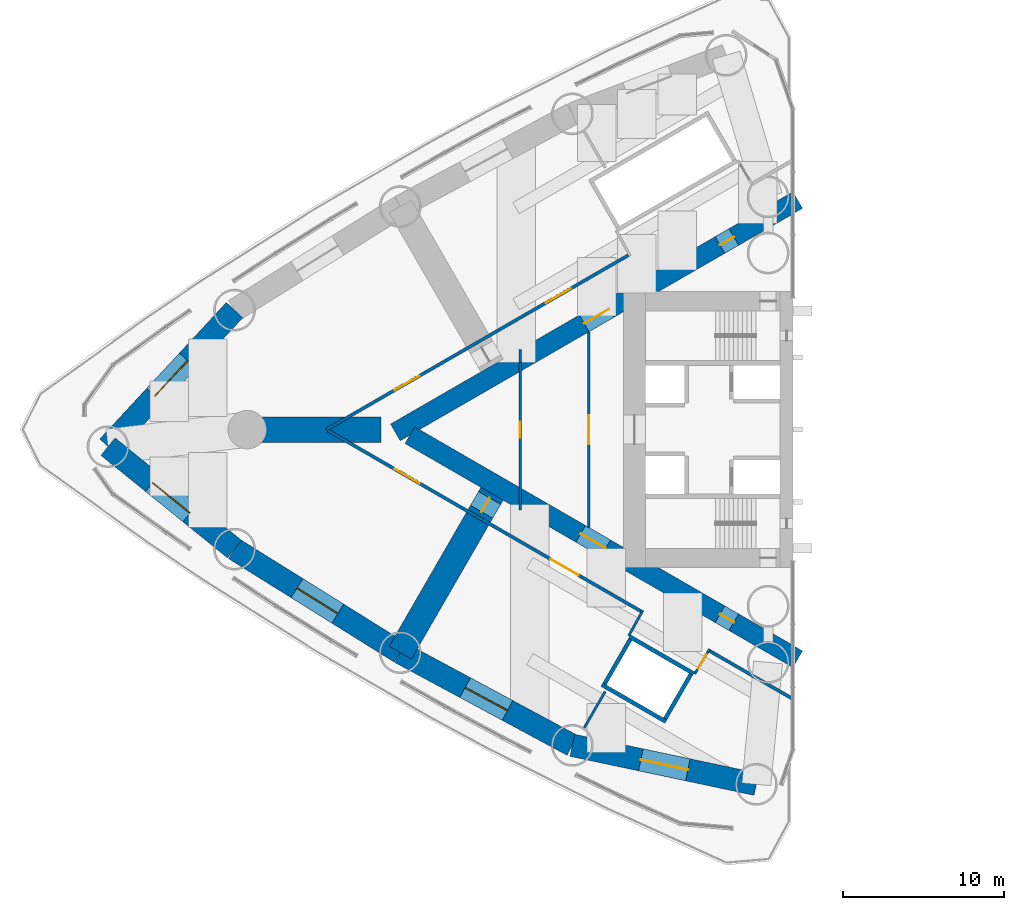
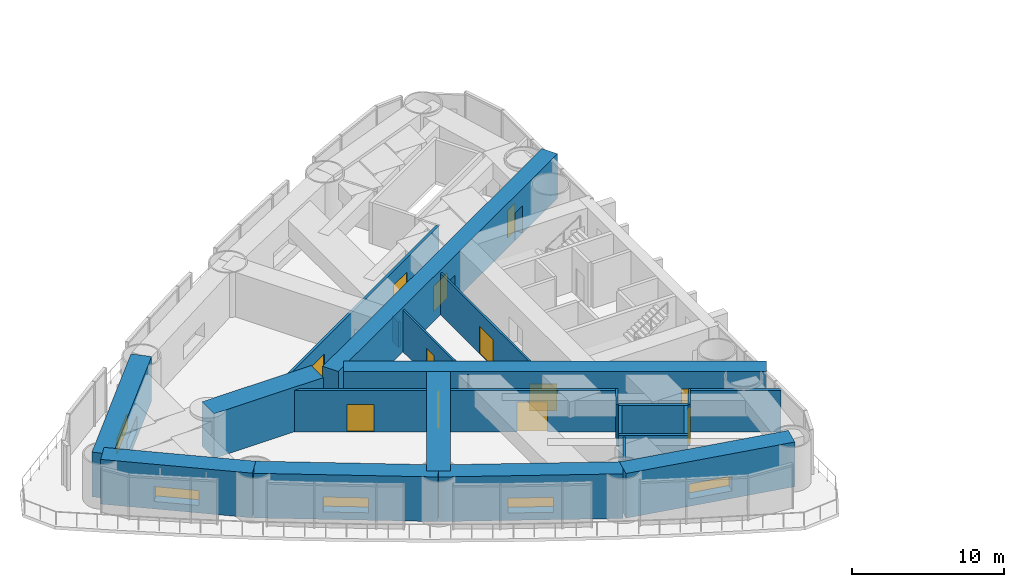
# One storey, part 13 of 19: 22 walls, 12 doors, 5 windows, 17 openings.
"""IFC4 building model written with IfcOpenShell, lengths in metres."""

from ifc_helpers import new_model, si_unit, direction, frame, frame_2d, origin, place, context, subcontext, project, spatial, rectangle, extrude, material, layer, layer_set, type_object, element, fill, save


model = new_model("IFC4")

# Units and contexts
model_context = context("Model", 3, precision=1e-05, world=origin(), true_north=direction((0.0, 1.0)))
body_context = subcontext(model_context, "Body", "Model", "MODEL_VIEW")
ifc_project = project(units=[si_unit("LENGTHUNIT", "METRE"), si_unit("AREAUNIT", "SQUARE_METRE"), si_unit("VOLUMEUNIT", "CUBIC_METRE"), si_unit("PLANEANGLEUNIT", "RADIAN"), si_unit("MASSUNIT", "GRAM", prefix="KILO")], contexts=[model_context])

# Site, building, storey
site_placement = place(None, origin())
site = spatial("IfcSite", under=ifc_project, at=site_placement, CompositionType="ELEMENT")
building_placement = place(site_placement, origin())
building = spatial("IfcBuilding", under=site, at=building_placement, Name="Lancet Gate Hotel", CompositionType="ELEMENT")
storey_placement = place(building_placement, frame((0.0, 0.0, 87.0)))
storey = spatial("IfcBuildingStorey", under=building, at=storey_placement, Name="L22", CompositionType="ELEMENT", Elevation=87.0)

# Wall, opening, window
ifc_material_1 = material(Name="Concrete C80/95", Category="concrete")
ifc_layer_1 = layer(ifc_material_1, 1.39990234375)
ifc_layer_set_1 = layer_set([ifc_layer_1], Name="Belt wall 1400")
wall_type_1 = type_object("IfcWallType", Name="Belt wall 1400", PredefinedType="SHEAR", material=ifc_layer_set_1)
wall_1_placement = place(storey_placement, frame((-62.28662109375, 7.444580078125, 0.0), z_axis=(0.0, 0.0, 1.0), x_axis=(-0.679718253794, -0.733473309303, 0.0)))
wall_1 = element("IfcWall", 1, at=wall_1_placement, inside=storey, type_object=wall_type_1, Name="T1 belt wall OS3-CA L22", PredefinedType="SHEAR", context=body_context, shape_type="SweptSolid", body=[
    extrude(rectangle(XDim=11.594970703125, YDim=1.39990234375, at=frame_2d((5.79736328125, 0.0))), origin(), (0.0, 0.0, 1.0), 3.60009765625),
])
opening_1_placement = place(wall_1_placement, frame((4.297607421875, 0.0, 0.60009765625)))
opening_1 = element("IfcOpeningElement", 2, at=opening_1_placement, cuts=wall_1, Name="Opening LV1", PredefinedType="OPENING", context=body_context, shape_type="SweptSolid", body=[
    extrude(rectangle(XDim=3.0, YDim=1.199951171875, at=frame_2d((1.5, 0.60009765625))), frame((0.0, 0.7099609375, 0.0), z_axis=(0.0, -1.0, 0.0), x_axis=(1.0, 0.0, 0.0)), (0.0, 0.0, 1.0), 1.419921875),
])
ifc_material_2 = material(Name="Aluminium weather louvre", Category="aluminium")
window_type = type_object("IfcWindowType", Name="Refuge louvre 3000x1200", PartitioningType="SINGLE_PANEL", PredefinedType="WINDOW", material=ifc_material_2)
window_1_placement = place(opening_1_placement, origin())
window_1 = element("IfcWindow", 3, at=window_1_placement, inside=storey, type_object=window_type, Name="T1 belt louvre OS3-CA L22", OverallHeight=1.199951171875, OverallWidth=3.0, PartitioningType="SINGLE_PANEL", PredefinedType="WINDOW", context=body_context, shape_type="SweptSolid", body=[
    extrude(rectangle(XDim=3.0, YDim=1.199951171875, at=frame_2d((1.5, 0.60009765625))), frame((0.0, 0.030029296875, 0.0), z_axis=(0.0, -1.0, 0.0), x_axis=(1.0, 0.0, 0.0)), (0.0, 0.0, 1.0), 0.06005859375),
])
fill(opening_1, window_1)

wall_2_placement = place(storey_placement, frame((-70.16796875, -1.06005859375, 0.0), z_axis=(0.0, 0.0, 1.0), x_axis=(0.777033503891, -0.629459239213, 0.0)))
wall_2 = element("IfcWall", 4, at=wall_2_placement, inside=storey, type_object=wall_type_1, Name="T1 belt wall CA-ON1 L22", PredefinedType="SHEAR", context=body_context, shape_type="SweptSolid", body=[
    extrude(rectangle(XDim=10.142822265625, YDim=1.39990234375, at=frame_2d((5.0712890625, 0.0))), origin(), (0.0, 0.0, 1.0), 3.60009765625),
])
opening_2_placement = place(wall_2_placement, frame((3.571533203125, 0.0, 0.60009765625)))
opening_2 = element("IfcOpeningElement", 5, at=opening_2_placement, cuts=wall_2, Name="Opening LV1", PredefinedType="OPENING", context=body_context, shape_type="SweptSolid", body=[
    extrude(rectangle(XDim=3.0, YDim=1.199951171875, at=frame_2d((1.5, 0.60009765625))), frame((0.0, 0.7099609375, 0.0), z_axis=(0.0, -1.0, 0.0), x_axis=(1.0, 0.0, 0.0)), (0.0, 0.0, 1.0), 1.419921875),
])
window_2_placement = place(opening_2_placement, origin())
window_2 = element("IfcWindow", 6, at=window_2_placement, inside=storey, type_object=window_type, Name="T1 belt louvre CA-ON1 L22", OverallHeight=1.199951171875, OverallWidth=3.0, PartitioningType="SINGLE_PANEL", PredefinedType="WINDOW", context=body_context, shape_type="SweptSolid", body=[
    extrude(rectangle(XDim=3.0, YDim=1.199951171875, at=frame_2d((1.5, 0.60009765625))), frame((0.0, 0.030029296875, 0.0), z_axis=(0.0, -1.0, 0.0), x_axis=(1.0, 0.0, 0.0)), (0.0, 0.0, 1.0), 0.06005859375),
])
fill(opening_2, window_2)

wall_3_placement = place(storey_placement, frame((-62.28662109375, -7.444580078125, 0.0), z_axis=(0.0, 0.0, 1.0), x_axis=(0.848062521637, -0.529896177939, 0.0)))
wall_3 = element("IfcWall", 7, at=wall_3_placement, inside=storey, type_object=wall_type_1, Name="T1 belt wall ON1-ON2 L22", PredefinedType="SHEAR", context=body_context, shape_type="SweptSolid", body=[
    extrude(rectangle(XDim=12.173095703125, YDim=1.39990234375, at=frame_2d((6.08642578125, 0.0))), origin(), (0.0, 0.0, 1.0), 3.60009765625),
])
opening_3_placement = place(wall_3_placement, frame((4.58642578125, 0.0, 0.60009765625)))
opening_3 = element("IfcOpeningElement", 8, at=opening_3_placement, cuts=wall_3, Name="Opening LV1", PredefinedType="OPENING", context=body_context, shape_type="SweptSolid", body=[
    extrude(rectangle(XDim=3.0, YDim=1.199951171875, at=frame_2d((1.5, 0.60009765625))), frame((0.0, 0.7099609375, 0.0), z_axis=(0.0, -1.0, 0.0), x_axis=(1.0, 0.0, 0.0)), (0.0, 0.0, 1.0), 1.419921875),
])
window_3_placement = place(opening_3_placement, origin())
window_3 = element("IfcWindow", 9, at=window_3_placement, inside=storey, type_object=window_type, Name="T1 belt louvre ON1-ON2 L22", OverallHeight=1.199951171875, OverallWidth=3.0, PartitioningType="SINGLE_PANEL", PredefinedType="WINDOW", context=body_context, shape_type="SweptSolid", body=[
    extrude(rectangle(XDim=3.0, YDim=1.199951171875, at=frame_2d((1.5, 0.60009765625))), frame((0.0, 0.030029296875, 0.0), z_axis=(0.0, -1.0, 0.0), x_axis=(1.0, 0.0, 0.0)), (0.0, 0.0, 1.0), 0.06005859375),
])
fill(opening_3, window_3)

wall_4_placement = place(storey_placement, frame((-51.963134765625, -13.89501953125, 0.0), z_axis=(0.0, 0.0, 1.0), x_axis=(0.880492350889, -0.474060354835, 0.0)))
wall_4 = element("IfcWall", 10, at=wall_4_placement, inside=storey, type_object=wall_type_1, Name="T1 belt wall ON2-ON3 L22", PredefinedType="SHEAR", context=body_context, shape_type="SweptSolid", body=[
    extrude(rectangle(XDim=12.173095703125, YDim=1.39990234375, at=frame_2d((6.08642578125, 0.0))), origin(), (0.0, 0.0, 1.0), 3.60009765625),
])
opening_4_placement = place(wall_4_placement, frame((4.58642578125, 0.0, 0.60009765625)))
opening_4 = element("IfcOpeningElement", 11, at=opening_4_placement, cuts=wall_4, Name="Opening LV1", PredefinedType="OPENING", context=body_context, shape_type="SweptSolid", body=[
    extrude(rectangle(XDim=3.0, YDim=1.199951171875, at=frame_2d((1.5, 0.60009765625))), frame((0.0, 0.7099609375, 0.0), z_axis=(0.0, -1.0, 0.0), x_axis=(1.0, 0.0, 0.0)), (0.0, 0.0, 1.0), 1.419921875),
])
window_4_placement = place(opening_4_placement, origin())
window_4 = element("IfcWindow", 12, at=window_4_placement, inside=storey, type_object=window_type, Name="T1 belt louvre ON2-ON3 L22", OverallHeight=1.199951171875, OverallWidth=3.0, PartitioningType="SINGLE_PANEL", PredefinedType="WINDOW", context=body_context, shape_type="SweptSolid", body=[
    extrude(rectangle(XDim=3.0, YDim=1.199951171875, at=frame_2d((1.5, 0.60009765625))), frame((0.0, 0.030029296875, 0.0), z_axis=(0.0, -1.0, 0.0), x_axis=(1.0, 0.0, 0.0)), (0.0, 0.0, 1.0), 0.06005859375),
])
fill(opening_4, window_4)

wall_5_placement = place(storey_placement, frame((-41.244873046875, -19.665771484375, 0.0), z_axis=(0.0, 0.0, 1.0), x_axis=(0.978282156247, -0.207277646573, 0.0)))
wall_5 = element("IfcWall", 13, at=wall_5_placement, inside=storey, type_object=wall_type_1, Name="T1 belt wall ON3-CN L22", PredefinedType="SHEAR", context=body_context, shape_type="SweptSolid", body=[
    extrude(rectangle(XDim=11.71826171875, YDim=1.39990234375, at=frame_2d((5.859130859375, 0.0))), origin(), (0.0, 0.0, 1.0), 3.60009765625),
])
opening_5_placement = place(wall_5_placement, frame((4.359130859375, 0.0, 0.60009765625)))
opening_5 = element("IfcOpeningElement", 14, at=opening_5_placement, cuts=wall_5, Name="Opening LV1", PredefinedType="OPENING", context=body_context, shape_type="SweptSolid", body=[
    extrude(rectangle(XDim=3.0, YDim=1.199951171875, at=frame_2d((1.5, 0.60009765625))), frame((0.0, 0.7099609375, 0.0), z_axis=(0.0, -1.0, 0.0), x_axis=(1.0, 0.0, 0.0)), (0.0, 0.0, 1.0), 1.419921875),
])
window_5_placement = place(opening_5_placement, origin())
window_5 = element("IfcWindow", 15, at=window_5_placement, inside=storey, type_object=window_type, Name="T1 belt louvre ON3-CN L22", OverallHeight=1.199951171875, OverallWidth=3.0, PartitioningType="SINGLE_PANEL", PredefinedType="WINDOW", context=body_context, shape_type="SweptSolid", body=[
    extrude(rectangle(XDim=3.0, YDim=1.199951171875, at=frame_2d((1.5, 0.60009765625))), frame((0.0, 0.030029296875, 0.0), z_axis=(0.0, -1.0, 0.0), x_axis=(1.0, 0.0, 0.0)), (0.0, 0.0, 1.0), 0.06005859375),
])
fill(opening_5, window_5)

# Wall, openings, doors
ifc_material_3 = material(Name="Concrete C70/85", Category="concrete")
ifc_layer_2 = layer(ifc_material_3, 1.199951171875)
ifc_layer_set_2 = layer_set([ifc_layer_2], Name="Buttress wall 1200")
wall_type_2 = type_object("IfcWallType", Name="Buttress wall 1200", PredefinedType="SHEAR", material=ifc_layer_set_2)
wall_6_placement = place(storey_placement, frame((-27.199951171875, 14.300048828125, 0.0), z_axis=(0.0, 0.0, 1.0), x_axis=(-0.866026593062, -0.499997940104, 0.0)))
wall_6 = element("IfcWall", 16, at=wall_6_placement, inside=storey, type_object=wall_type_2, Name="T1 buttress wall S L22", PredefinedType="SHEAR", context=body_context, shape_type="SweptSolid", body=[
    extrude(rectangle(XDim=28.9462890625, YDim=1.199951171875, at=frame_2d((14.47314453125, 0.0))), origin(), (0.0, 0.0, 1.0), 3.60009765625),
])
opening_6_placement = place(wall_6_placement, frame((4.60009765625, 0.0, 0.0)))
opening_6 = element("IfcOpeningElement", 17, at=opening_6_placement, cuts=wall_6, Name="Opening T1-L22-LS", PredefinedType="OPENING", context=body_context, shape_type="SweptSolid", body=[
    extrude(rectangle(XDim=1.0, YDim=2.199951171875, at=frame_2d((0.5, 1.10009765625))), frame((0.0, 0.60986328125, 0.0), z_axis=(0.0, -1.0, 0.0), x_axis=(1.0, 0.0, 0.0)), (0.0, 0.0, 1.0), 1.219970703125),
])
opening_7_placement = place(wall_6_placement, frame((13.567626953125, 0.0, 0.0)))
opening_7 = element("IfcOpeningElement", 18, at=opening_7_placement, cuts=wall_6, Name="Opening T1-L22-LHS", PredefinedType="OPENING", context=body_context, shape_type="SweptSolid", body=[
    extrude(rectangle(XDim=1.800048828125, YDim=2.030029296875, at=frame_2d((0.89990234375, 1.01513671875))), frame((0.0, 0.60986328125, 0.0), z_axis=(0.0, -1.0, 0.0), x_axis=(1.0, 0.0, 0.0)), (0.0, 0.0, 1.0), 1.219970703125),
])
ifc_material_4 = material(Name="Timber door set", Category="wood")
door_type_1 = type_object("IfcDoorType", Name="Lobby double door 1800, 2030 high", OperationType="DOUBLE_DOOR_SINGLE_SWING", PredefinedType="DOOR", material=ifc_material_4)
door_1_placement = place(opening_7_placement, origin())
door_1 = element("IfcDoor", 19, at=door_1_placement, inside=storey, type_object=door_type_1, Name="T1-L22-LHS", OperationType="DOUBLE_DOOR_SINGLE_SWING", OverallHeight=2.030029296875, OverallWidth=1.800048828125, PredefinedType="DOOR", context=body_context, shape_type="SweptSolid", body=[
    extrude(rectangle(XDim=1.800048828125, YDim=2.030029296875, at=frame_2d((0.89990234375, 1.01513671875))), frame((0.0, 0.02490234375, 0.0), z_axis=(0.0, -1.0, 0.0), x_axis=(1.0, 0.0, 0.0)), (0.0, 0.0, 1.0), 0.050048828125),
])
fill(opening_7, door_1)
ifc_material_5 = material(Name="Timber door set", Category="wood")
door_type_2 = type_object("IfcDoorType", Name="Stair lobby door 1000", OperationType="SINGLE_SWING_LEFT", PredefinedType="DOOR", material=ifc_material_5)
door_2_placement = place(opening_6_placement, origin())
door_2 = element("IfcDoor", 20, at=door_2_placement, inside=storey, type_object=door_type_2, Name="T1-L22-LS", OperationType="SINGLE_SWING_LEFT", OverallHeight=2.199951171875, OverallWidth=1.0, PredefinedType="DOOR", context=body_context, shape_type="SweptSolid", body=[
    extrude(rectangle(XDim=1.0, YDim=2.199951171875, at=frame_2d((0.5, 1.10009765625))), frame((0.0, 0.02490234375, 0.0), z_axis=(0.0, -1.0, 0.0), x_axis=(1.0, 0.0, 0.0)), (0.0, 0.0, 1.0), 0.050048828125),
])
fill(opening_6, door_2)

wall_7_placement = place(storey_placement, frame((-27.199951171875, -14.300048828125, 0.0), z_axis=(0.0, 0.0, 1.0), x_axis=(-0.866024021859, 0.500002393557, 0.0)))
wall_7 = element("IfcWall", 21, at=wall_7_placement, inside=storey, type_object=wall_type_2, Name="T1 buttress wall N L22", PredefinedType="SHEAR", context=body_context, shape_type="SweptSolid", body=[
    extrude(rectangle(XDim=27.906982421875, YDim=1.199951171875, at=frame_2d((13.95361328125, 0.0))), origin(), (0.0, 0.0, 1.0), 3.60009765625),
])
opening_8_placement = place(wall_7_placement, frame((4.60009765625, 0.0, 0.0)))
opening_8 = element("IfcOpeningElement", 22, at=opening_8_placement, cuts=wall_7, Name="Opening T1-L22-LN", PredefinedType="OPENING", context=body_context, shape_type="SweptSolid", body=[
    extrude(rectangle(XDim=1.0, YDim=2.199951171875, at=frame_2d((0.5, 1.10009765625))), frame((0.0, 0.60986328125, 0.0), z_axis=(0.0, -1.0, 0.0), x_axis=(1.0, 0.0, 0.0)), (0.0, 0.0, 1.0), 1.219970703125),
])
opening_9_placement = place(wall_7_placement, frame((13.818115234375, 0.0, 0.0)))
opening_9 = element("IfcOpeningElement", 23, at=opening_9_placement, cuts=wall_7, Name="Opening T1-L22-LHN", PredefinedType="OPENING", context=body_context, shape_type="SweptSolid", body=[
    extrude(rectangle(XDim=1.800048828125, YDim=2.199951171875, at=frame_2d((0.89990234375, 1.10009765625))), frame((0.0, 0.60986328125, 0.0), z_axis=(0.0, -1.0, 0.0), x_axis=(1.0, 0.0, 0.0)), (0.0, 0.0, 1.0), 1.219970703125),
])
ifc_material_6 = material(Name="Timber door set", Category="wood")
door_type_3 = type_object("IfcDoorType", Name="Lobby double door 1800", OperationType="DOUBLE_DOOR_SINGLE_SWING", PredefinedType="DOOR", material=ifc_material_6)
door_3_placement = place(opening_9_placement, origin())
door_3 = element("IfcDoor", 24, at=door_3_placement, inside=storey, type_object=door_type_3, Name="T1-L22-LHN", OperationType="DOUBLE_DOOR_SINGLE_SWING", OverallHeight=2.199951171875, OverallWidth=1.800048828125, PredefinedType="DOOR", context=body_context, shape_type="SweptSolid", body=[
    extrude(rectangle(XDim=1.800048828125, YDim=2.199951171875, at=frame_2d((0.89990234375, 1.10009765625))), frame((0.0, 0.02490234375, 0.0), z_axis=(0.0, -1.0, 0.0), x_axis=(1.0, 0.0, 0.0)), (0.0, 0.0, 1.0), 0.050048828125),
])
fill(opening_9, door_3)
door_4_placement = place(opening_8_placement, origin())
door_4 = element("IfcDoor", 25, at=door_4_placement, inside=storey, type_object=door_type_2, Name="T1-L22-LN", OperationType="SINGLE_SWING_LEFT", OverallHeight=2.199951171875, OverallWidth=1.0, PredefinedType="DOOR", context=body_context, shape_type="SweptSolid", body=[
    extrude(rectangle(XDim=1.0, YDim=2.199951171875, at=frame_2d((0.5, 1.10009765625))), frame((0.0, 0.02490234375, 0.0), z_axis=(0.0, -1.0, 0.0), x_axis=(1.0, 0.0, 0.0)), (0.0, 0.0, 1.0), 0.050048828125),
])
fill(opening_8, door_4)

ifc_material_7 = material(Name="Gypsum board partition")
ifc_layer_3 = layer(ifc_material_7, 0.199951171875)
ifc_layer_set_3 = layer_set([ifc_layer_3], Name="Corridor wall 200")
wall_type_3 = type_object("IfcWallType", Name="Corridor wall 200", PredefinedType="PARTITIONING", material=ifc_layer_set_3)
wall_8_placement = place(storey_placement, frame((-37.699951171875, 10.8935546875, 0.0), z_axis=(0.0, 0.0, 1.0), x_axis=(-0.866027905338, -0.499995667157, 0.0)))
wall_8 = element("IfcWall", 26, at=wall_8_placement, inside=storey, type_object=wall_type_3, Name="T1 corridor wall 200 L22", PredefinedType="PARTITIONING", context=body_context, shape_type="SweptSolid", body=[
    extrude(rectangle(XDim=21.787353515625, YDim=0.199951171875, at=frame_2d((10.8935546875, 0.0))), origin(), (0.0, 0.0, 1.0), 3.35009765625),
])
opening_10_placement = place(wall_8_placement, frame((15.093505859375, 0.0, 0.0)))
opening_10 = element("IfcOpeningElement", 27, at=opening_10_placement, cuts=wall_8, Name="Opening T1-L22-RC04", PredefinedType="OPENING", context=body_context, shape_type="SweptSolid", body=[
    extrude(rectangle(XDim=1.800048828125, YDim=2.199951171875, at=frame_2d((0.89990234375, 1.10009765625))), frame((0.0, 0.10986328125, 0.0), z_axis=(0.0, -1.0, 0.0), x_axis=(1.0, 0.0, 0.0)), (0.0, 0.0, 1.0), 0.219970703125),
])
opening_11_placement = place(wall_8_placement, frame((4.20068359375, 0.0, 0.0)))
opening_11 = element("IfcOpeningElement", 28, at=opening_11_placement, cuts=wall_8, Name="Opening T1-L22-RC02", PredefinedType="OPENING", context=body_context, shape_type="SweptSolid", body=[
    extrude(rectangle(XDim=1.800048828125, YDim=2.199951171875, at=frame_2d((0.89990234375, 1.10009765625))), frame((0.0, 0.10986328125, 0.0), z_axis=(0.0, -1.0, 0.0), x_axis=(1.0, 0.0, 0.0)), (0.0, 0.0, 1.0), 0.219970703125),
])
ifc_material_8 = material(Name="Timber door set", Category="wood")
door_type_4 = type_object("IfcDoorType", Name="Double door 1800", OperationType="DOUBLE_DOOR_SINGLE_SWING", PredefinedType="DOOR", material=ifc_material_8)
door_5_placement = place(opening_10_placement, origin())
door_5 = element("IfcDoor", 29, at=door_5_placement, inside=storey, type_object=door_type_4, Name="T1-L22-RC04", OperationType="DOUBLE_DOOR_SINGLE_SWING", OverallHeight=2.199951171875, OverallWidth=1.800048828125, PredefinedType="DOOR", context=body_context, shape_type="SweptSolid", body=[
    extrude(rectangle(XDim=1.800048828125, YDim=2.199951171875, at=frame_2d((0.89990234375, 1.10009765625))), frame((0.0, 0.02490234375, 0.0), z_axis=(0.0, -1.0, 0.0), x_axis=(1.0, 0.0, 0.0)), (0.0, 0.0, 1.0), 0.050048828125),
])
fill(opening_10, door_5)
door_6_placement = place(opening_11_placement, origin())
door_6 = element("IfcDoor", 30, at=door_6_placement, inside=storey, type_object=door_type_4, Name="T1-L22-RC02", OperationType="DOUBLE_DOOR_SINGLE_SWING", OverallHeight=2.199951171875, OverallWidth=1.800048828125, PredefinedType="DOOR", context=body_context, shape_type="SweptSolid", body=[
    extrude(rectangle(XDim=1.800048828125, YDim=2.199951171875, at=frame_2d((0.89990234375, 1.10009765625))), frame((0.0, 0.02490234375, 0.0), z_axis=(0.0, -1.0, 0.0), x_axis=(1.0, 0.0, 0.0)), (0.0, 0.0, 1.0), 0.050048828125),
])
fill(opening_11, door_6)

# Wall
wall_9_placement = place(storey_placement, frame((-27.5, -16.782470703125, 0.0), z_axis=(0.0, 0.0, 1.0), x_axis=(-0.866030050624, 0.499991951352, 0.0)))
element("IfcWall", 31, at=wall_9_placement, inside=storey, type_object=wall_type_3, Name="T1 corridor wall 200 L22", PredefinedType="PARTITIONING", context=body_context, shape_type="SweptSolid", body=[
    extrude(rectangle(XDim=6.0380859375, YDim=0.199951171875, at=frame_2d((3.01904296875, 0.0))), origin(), (0.0, 0.0, 1.0), 3.35009765625),
])

# Wall, openings, doors
wall_10_placement = place(storey_placement, frame((-36.920166015625, -11.34375, 0.0), z_axis=(0.0, 0.0, 1.0), x_axis=(-0.866028313256, 0.499994960614, 0.0)))
wall_10 = element("IfcWall", 32, at=wall_10_placement, inside=storey, type_object=wall_type_3, Name="T1 corridor wall 200 L22", PredefinedType="PARTITIONING", context=body_context, shape_type="SweptSolid", body=[
    extrude(rectangle(XDim=22.567626953125, YDim=0.199951171875, at=frame_2d((11.28369140625, 0.0))), origin(), (0.0, 0.0, 1.0), 3.35009765625),
])
opening_12_placement = place(wall_10_placement, frame((15.993896484375, 0.0, 0.0)))
opening_12 = element("IfcOpeningElement", 33, at=opening_12_placement, cuts=wall_10, Name="Opening T1-L22-RC06", PredefinedType="OPENING", context=body_context, shape_type="SweptSolid", body=[
    extrude(rectangle(XDim=1.800048828125, YDim=2.199951171875, at=frame_2d((0.89990234375, 1.10009765625))), frame((0.0, 0.10986328125, 0.0), z_axis=(0.0, -1.0, 0.0), x_axis=(1.0, 0.0, 0.0)), (0.0, 0.0, 1.0), 0.219970703125),
])
opening_13_placement = place(wall_10_placement, frame((4.551025390625, 0.0, 0.0)))
opening_13 = element("IfcOpeningElement", 34, at=opening_13_placement, cuts=wall_10, Name="Opening T1-L22-RC07", PredefinedType="OPENING", context=body_context, shape_type="SweptSolid", body=[
    extrude(rectangle(XDim=2.0, YDim=2.39990234375, at=frame_2d((1.0, 1.199951171875))), frame((0.0, 0.10986328125, 0.0), z_axis=(0.0, -1.0, 0.0), x_axis=(1.0, 0.0, 0.0)), (0.0, 0.0, 1.0), 0.219970703125),
])
door_7_placement = place(opening_12_placement, origin())
door_7 = element("IfcDoor", 35, at=door_7_placement, inside=storey, type_object=door_type_4, Name="T1-L22-RC06", OperationType="DOUBLE_DOOR_SINGLE_SWING", OverallHeight=2.199951171875, OverallWidth=1.800048828125, PredefinedType="DOOR", context=body_context, shape_type="SweptSolid", body=[
    extrude(rectangle(XDim=1.800048828125, YDim=2.199951171875, at=frame_2d((0.89990234375, 1.10009765625))), frame((0.0, 0.02490234375, 0.0), z_axis=(0.0, -1.0, 0.0), x_axis=(1.0, 0.0, 0.0)), (0.0, 0.0, 1.0), 0.050048828125),
])
fill(opening_12, door_7)
ifc_material_9 = material(Name="Timber door set", Category="wood")
door_type_5 = type_object("IfcDoorType", Name="Plant room double door 2000", OperationType="DOUBLE_DOOR_SINGLE_SWING", PredefinedType="DOOR", material=ifc_material_9)
door_8_placement = place(opening_13_placement, origin())
door_8 = element("IfcDoor", 36, at=door_8_placement, inside=storey, type_object=door_type_5, Name="T1-L22-RC07", OperationType="DOUBLE_DOOR_SINGLE_SWING", OverallHeight=2.39990234375, OverallWidth=2.0, PredefinedType="DOOR", context=body_context, shape_type="SweptSolid", body=[
    extrude(rectangle(XDim=2.0, YDim=2.39990234375, at=frame_2d((1.0, 1.199951171875))), frame((0.0, 0.02490234375, 0.0), z_axis=(0.0, -1.0, 0.0), x_axis=(1.0, 0.0, 0.0)), (0.0, 0.0, 1.0), 0.050048828125),
])
fill(opening_13, door_8)

# Walls
ifc_material_10 = material(Name="Gypsum board partition")
ifc_layer_4 = layer(ifc_material_10, 0.25)
ifc_layer_set_4 = layer_set([ifc_layer_4], Name="Lift shaft partition 250")
wall_type_4 = type_object("IfcWallType", Name="Lift shaft partition 250", PredefinedType="PARTITIONING", material=ifc_layer_set_4)
wall_11_placement = place(storey_placement, frame((-33.695556640625, -15.197265625, 0.0), z_axis=(0.0, 0.0, 1.0), x_axis=(-0.865976953817, 0.500083908417, 0.0)))
element("IfcWall", 37, at=wall_11_placement, inside=storey, type_object=wall_type_4, Name="T1 lift shaft wall EX L22", PredefinedType="PARTITIONING", context=body_context, shape_type="SweptSolid", body=[
    extrude(rectangle(XDim=4.599365234375, YDim=0.25, at=frame_2d((2.2998046875, 0.0))), origin(), (0.0, 0.0, 1.0), 3.35009765625),
])
wall_12_placement = place(storey_placement, frame((-35.42041015625, -18.185791015625, 0.0), z_axis=(0.0, 0.0, 1.0), x_axis=(-0.865990227814, 0.50006092162, 0.0)))
element("IfcWall", 38, at=wall_12_placement, inside=storey, type_object=wall_type_4, Name="T1 lift shaft wall EX L22", PredefinedType="PARTITIONING", context=body_context, shape_type="SweptSolid", body=[
    extrude(rectangle(XDim=4.599609375, YDim=0.25, at=frame_2d((2.2998046875, 0.0))), origin(), (0.0, 0.0, 1.0), 3.35009765625),
])
wall_13_placement = place(storey_placement, frame((-33.8662109375, -15.242919921875, 0.0), z_axis=(0.0, 0.0, 1.0), x_axis=(-0.499929347863, -0.866066190972, 0.0)))
element("IfcWall", 39, at=wall_13_placement, inside=storey, type_object=wall_type_4, Name="T1 lift shaft wall EX L22", PredefinedType="PARTITIONING", context=body_context, shape_type="SweptSolid", body=[
    extrude(rectangle(XDim=3.20068359375, YDim=0.25, at=frame_2d((1.600341796875, 0.0))), origin(), (0.0, 0.0, 1.0), 3.35009765625),
])
wall_14_placement = place(storey_placement, frame((-37.6328125, -13.068115234375, 0.0), z_axis=(0.0, 0.0, 1.0), x_axis=(-0.499872130319, -0.866099216793, 0.0)))
element("IfcWall", 40, at=wall_14_placement, inside=storey, type_object=wall_type_4, Name="T1 lift shaft wall EX L22", PredefinedType="PARTITIONING", context=body_context, shape_type="SweptSolid", body=[
    extrude(rectangle(XDim=3.200439453125, YDim=0.25, at=frame_2d((1.60009765625, 0.0))), origin(), (0.0, 0.0, 1.0), 3.35009765625),
])
ifc_material_11 = material(Name="Concrete C80/95", Category="concrete")
ifc_layer_5 = layer(ifc_material_11, 1.60009765625)
ifc_layer_set_5 = layer_set([ifc_layer_5], Name="Outrigger wall 1600")
wall_type_5 = type_object("IfcWallType", Name="Outrigger wall 1600", PredefinedType="SHEAR", material=ifc_layer_set_5)
wall_15_placement = place(storey_placement, frame((-53.168212890625, 0.0, 0.0), z_axis=(0.0, 0.0, 1.0), x_axis=(-1.0, 0.0, 0.0)))
element("IfcWall", 41, at=wall_15_placement, inside=storey, type_object=wall_type_5, Name="T1 outrigger wall CA L22", PredefinedType="SHEAR", context=body_context, shape_type="SweptSolid", body=[
    extrude(rectangle(XDim=8.331787109375, YDim=1.60009765625, at=frame_2d((4.166015625, 0.0))), origin(), (0.0, 0.0, 1.0), 3.60009765625),
])

# Wall, opening, door
wall_16_placement = place(storey_placement, frame((-46.247802734375, -3.99560546875, 0.0), z_axis=(0.0, 0.0, 1.0), x_axis=(-0.499993613132, -0.866029091213, 0.0)))
wall_16 = element("IfcWall", 42, at=wall_16_placement, inside=storey, type_object=wall_type_5, Name="T1 outrigger wall ON2 L22", PredefinedType="SHEAR", context=body_context, shape_type="SweptSolid", body=[
    extrude(rectangle(XDim=11.430908203125, YDim=1.60009765625, at=frame_2d((5.71533203125, 0.0))), origin(), (0.0, 0.0, 1.0), 3.60009765625),
])
opening_14_placement = place(wall_16_placement, frame((0.300048828125, 0.0, 0.0)))
opening_14 = element("IfcOpeningElement", 43, at=opening_14_placement, cuts=wall_16, Name="Opening T1-L22-LNO", PredefinedType="OPENING", context=body_context, shape_type="SweptSolid", body=[
    extrude(rectangle(XDim=1.0, YDim=2.199951171875, at=frame_2d((0.5, 1.10009765625))), frame((0.0, 0.81005859375, 0.0), z_axis=(0.0, -1.0, 0.0), x_axis=(1.0, 0.0, 0.0)), (0.0, 0.0, 1.0), 1.6201171875),
])
ifc_material_12 = material(Name="Timber door set", Category="wood")
door_type_6 = type_object("IfcDoorType", Name="Corridor door 1000", OperationType="SINGLE_SWING_LEFT", PredefinedType="DOOR", material=ifc_material_12)
door_9_placement = place(opening_14_placement, origin())
door_9 = element("IfcDoor", 44, at=door_9_placement, inside=storey, type_object=door_type_6, Name="T1-L22-LNO", OperationType="SINGLE_SWING_LEFT", OverallHeight=2.199951171875, OverallWidth=1.0, PredefinedType="DOOR", context=body_context, shape_type="SweptSolid", body=[
    extrude(rectangle(XDim=1.0, YDim=2.199951171875, at=frame_2d((0.5, 1.10009765625))), frame((0.0, 0.02490234375, 0.0), z_axis=(0.0, -1.0, 0.0), x_axis=(1.0, 0.0, 0.0)), (0.0, 0.0, 1.0), 0.050048828125),
])
fill(opening_14, door_9)

# Walls
ifc_material_13 = material(Name="Gypsum board partition")
ifc_layer_6 = layer(ifc_material_13, 0.14990234375)
ifc_layer_set_6 = layer_set([ifc_layer_6], Name="Party wall 150")
wall_type_6 = type_object("IfcWallType", Name="Party wall 150", PredefinedType="PARTITIONING", material=ifc_layer_set_6)
wall_17_placement = place(storey_placement, frame((-39.2021484375, -16.319580078125, 0.0), z_axis=(0.0, 0.0, 1.0), x_axis=(-0.49997716683, -0.86603858612, 0.0)))
element("IfcWall", 45, at=wall_17_placement, inside=storey, type_object=wall_type_6, Name="T1 party wall 150 L22", PredefinedType="PARTITIONING", context=body_context, shape_type="SweptSolid", body=[
    extrude(rectangle(XDim=2.599609375, YDim=0.14990234375, at=frame_2d((1.2998046875, 0.0))), origin(), (0.0, 0.0, 1.0), 3.35009765625),
])
ifc_material_14 = material(Name="Gypsum board partition")
ifc_layer_7 = layer(ifc_material_14, 0.14990234375)
ifc_layer_set_7 = layer_set([ifc_layer_7], Name="Service room wall 150")
wall_type_7 = type_object("IfcWallType", Name="Service room wall 150", PredefinedType="PARTITIONING", material=ifc_layer_set_7)
wall_18_placement = place(storey_placement, frame((-36.857177734375, -11.2646484375, 0.0), z_axis=(0.0, 0.0, 1.0), x_axis=(-0.485482130951, -0.874246590229, 0.0)))
element("IfcWall", 46, at=wall_18_placement, inside=storey, type_object=wall_type_7, Name="T1 service room wall 150 L22", PredefinedType="PARTITIONING", context=body_context, shape_type="SweptSolid", body=[
    extrude(rectangle(XDim=1.804931640625, YDim=0.14990234375, at=frame_2d((0.90234375, 0.0))), origin(), (0.0, 0.0, 1.0), 3.35009765625),
])

# Wall, opening, door
wall_19_placement = place(storey_placement, frame((-33.62060546875, -15.217529296875, 0.0), z_axis=(0.0, 0.0, 1.0), x_axis=(0.514336634837, 0.857588377991, 0.0)))
wall_19 = element("IfcWall", 47, at=wall_19_placement, inside=storey, type_object=wall_type_7, Name="T1 service room wall 150 L22", PredefinedType="PARTITIONING", context=body_context, shape_type="SweptSolid", body=[
    extrude(rectangle(XDim=1.80517578125, YDim=0.14990234375, at=frame_2d((0.902587890625, 0.0))), origin(), (0.0, 0.0, 1.0), 3.35009765625),
])
opening_15_placement = place(wall_19_placement, frame((0.402587890625, 0.0, 0.0)))
opening_15 = element("IfcOpeningElement", 48, at=opening_15_placement, cuts=wall_19, Name="Opening T1-L22-RC08", PredefinedType="OPENING", context=body_context, shape_type="SweptSolid", body=[
    extrude(rectangle(XDim=1.0, YDim=2.030029296875, at=frame_2d((0.5, 1.01513671875))), frame((0.0, 0.0849609375, 0.0), z_axis=(0.0, -1.0, 0.0), x_axis=(1.0, 0.0, 0.0)), (0.0, 0.0, 1.0), 0.169921875),
])
ifc_material_15 = material(Name="Timber door set", Category="wood")
door_type_7 = type_object("IfcDoorType", Name="Service door 1000, 2030 high", OperationType="SINGLE_SWING_LEFT", PredefinedType="DOOR", material=ifc_material_15)
door_10_placement = place(opening_15_placement, origin())
door_10 = element("IfcDoor", 49, at=door_10_placement, inside=storey, type_object=door_type_7, Name="T1-L22-RC08", OperationType="SINGLE_SWING_LEFT", OverallHeight=2.030029296875, OverallWidth=1.0, PredefinedType="DOOR", context=body_context, shape_type="SweptSolid", body=[
    extrude(rectangle(XDim=1.0, YDim=2.030029296875, at=frame_2d((0.5, 1.01513671875))), frame((0.0, 0.02490234375, 0.0), z_axis=(0.0, -1.0, 0.0), x_axis=(1.0, 0.0, 0.0)), (0.0, 0.0, 1.0), 0.050048828125),
])
fill(opening_15, door_10)

wall_20_placement = place(storey_placement, frame((-40.22509765625, 6.087158203125, 0.0), z_axis=(0.0, 0.0, 1.0), x_axis=(0.0, -1.0, 0.0)))
wall_20 = element("IfcWall", 50, at=wall_20_placement, inside=storey, type_object=wall_type_7, Name="T1 service room wall 150 L22", PredefinedType="PARTITIONING", context=body_context, shape_type="SweptSolid", body=[
    extrude(rectangle(XDim=12.17431640625, YDim=0.14990234375, at=frame_2d((6.087158203125, 0.0))), origin(), (0.0, 0.0, 1.0), 3.35009765625),
])
opening_16_placement = place(wall_20_placement, frame((5.187255859375, 0.0, 0.0)))
opening_16 = element("IfcOpeningElement", 51, at=opening_16_placement, cuts=wall_20, Name="Opening T1-L22-LH", PredefinedType="OPENING", context=body_context, shape_type="SweptSolid", body=[
    extrude(rectangle(XDim=1.800048828125, YDim=2.199951171875, at=frame_2d((0.89990234375, 1.10009765625))), frame((0.0, 0.0849609375, 0.0), z_axis=(0.0, -1.0, 0.0), x_axis=(1.0, 0.0, 0.0)), (0.0, 0.0, 1.0), 0.169921875),
])
door_11_placement = place(opening_16_placement, origin())
door_11 = element("IfcDoor", 52, at=door_11_placement, inside=storey, type_object=door_type_3, Name="T1-L22-LH", OperationType="DOUBLE_DOOR_SINGLE_SWING", OverallHeight=2.199951171875, OverallWidth=1.800048828125, PredefinedType="DOOR", context=body_context, shape_type="SweptSolid", body=[
    extrude(rectangle(XDim=1.800048828125, YDim=2.199951171875, at=frame_2d((0.89990234375, 1.10009765625))), frame((0.0, 0.02490234375, 0.0), z_axis=(0.0, -1.0, 0.0), x_axis=(1.0, 0.0, 0.0)), (0.0, 0.0, 1.0), 0.050048828125),
])
fill(opening_16, door_11)

wall_21_placement = place(storey_placement, frame((-44.5, 4.168701171875, 0.0), z_axis=(0.0, 0.0, 1.0), x_axis=(0.0, -1.0, 0.0)))
wall_21 = element("IfcWall", 53, at=wall_21_placement, inside=storey, type_object=wall_type_7, Name="T1 service room wall 150 L22", PredefinedType="PARTITIONING", context=body_context, shape_type="SweptSolid", body=[
    extrude(rectangle(XDim=9.17333984375, YDim=0.14990234375, at=frame_2d((4.586669921875, 0.0))), origin(), (0.0, 0.0, 1.0), 3.35009765625),
])
opening_17_placement = place(wall_21_placement, frame((3.668701171875, 0.0, 0.0)))
opening_17 = element("IfcOpeningElement", 54, at=opening_17_placement, cuts=wall_21, Name="Opening T1-L22-SV", PredefinedType="OPENING", context=body_context, shape_type="SweptSolid", body=[
    extrude(rectangle(XDim=1.0, YDim=2.199951171875, at=frame_2d((0.5, 1.10009765625))), frame((0.0, 0.0849609375, 0.0), z_axis=(0.0, -1.0, 0.0), x_axis=(1.0, 0.0, 0.0)), (0.0, 0.0, 1.0), 0.169921875),
])
ifc_material_16 = material(Name="Timber door set", Category="wood")
door_type_8 = type_object("IfcDoorType", Name="Service door 1000", OperationType="SINGLE_SWING_LEFT", PredefinedType="DOOR", material=ifc_material_16)
door_12_placement = place(opening_17_placement, origin())
door_12 = element("IfcDoor", 55, at=door_12_placement, inside=storey, type_object=door_type_8, Name="T1-L22-SV", OperationType="SINGLE_SWING_LEFT", OverallHeight=2.199951171875, OverallWidth=1.0, PredefinedType="DOOR", context=body_context, shape_type="SweptSolid", body=[
    extrude(rectangle(XDim=1.0, YDim=2.199951171875, at=frame_2d((0.5, 1.10009765625))), frame((0.0, 0.02490234375, 0.0), z_axis=(0.0, -1.0, 0.0), x_axis=(1.0, 0.0, 0.0)), (0.0, 0.0, 1.0), 0.050048828125),
])
fill(opening_17, door_12)

# Wall
wall_22_placement = place(storey_placement, frame((-44.5, 5.004638671875, 0.0), z_axis=(0.0, 0.0, 1.0), x_axis=(0.0, -1.0, 0.0)))
element("IfcWall", 56, at=wall_22_placement, inside=storey, type_object=wall_type_7, Name="T1 service room wall 150 L22", PredefinedType="PARTITIONING", context=body_context, shape_type="SweptSolid", body=[
    extrude(rectangle(XDim=0.8359375, YDim=0.14990234375, at=frame_2d((0.41796875, 0.0))), origin(), (0.0, 0.0, 1.0), 2.050048828125),
])

save(model, "model.ifc")
